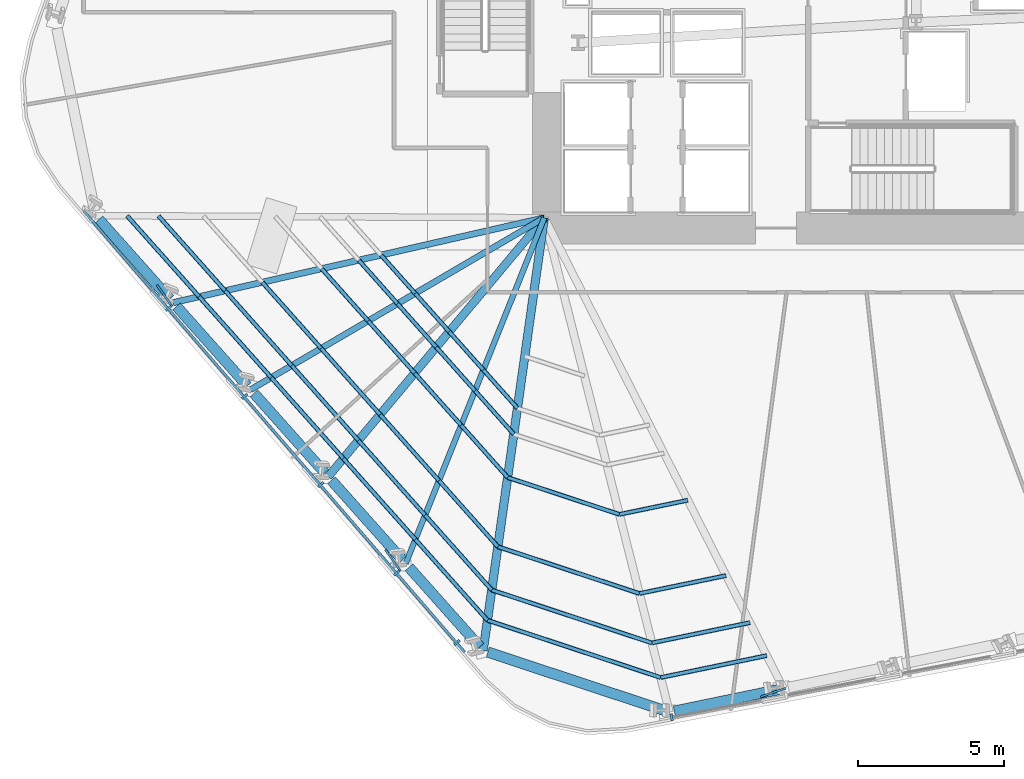
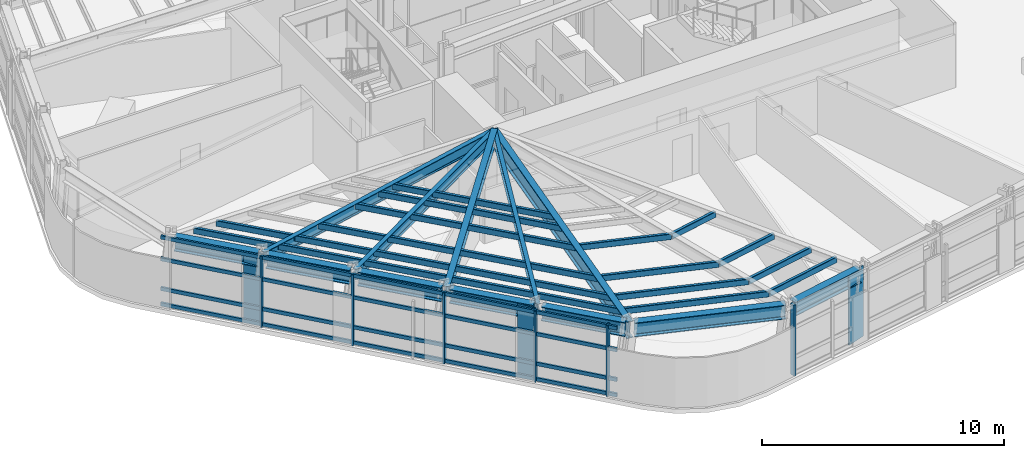
# One storey, part 2 of 18: 47 members, 12 beams, 2 elements without a shape of their own.
"""IFC4 building model written with IfcOpenShell, lengths in metres."""

from ifc_helpers import new_model, si_unit, direction, frame, origin, origin_2d, place, context, subcontext, project, spatial, rectangle, hollow_rectangle, i_section, extrude, material, layer, layer_set, material_profile, profile_set, type_object, element, aggregate, save


model = new_model("IFC4")

# Units and contexts
model_context = context("Model", 3, precision=1e-05, world=origin(), true_north=direction((0.0, 1.0)))
body_context = subcontext(model_context, "Body", "Model", "MODEL_VIEW")
ifc_project = project(units=[si_unit("LENGTHUNIT", "METRE"), si_unit("AREAUNIT", "SQUARE_METRE"), si_unit("VOLUMEUNIT", "CUBIC_METRE"), si_unit("PLANEANGLEUNIT", "RADIAN"), si_unit("MASSUNIT", "GRAM", prefix="KILO")], contexts=[model_context])

# Site, building, storey
site_placement = place(None, origin())
site = spatial("IfcSite", under=ifc_project, at=site_placement, CompositionType="ELEMENT")
building_placement = place(site_placement, origin())
building = spatial("IfcBuilding", under=site, at=building_placement, Name="Valkerne Bourse Tower", CompositionType="ELEMENT")
storey_placement = place(building_placement, frame((0.0, 0.0, 69.60009765625)))
storey = spatial("IfcBuildingStorey", under=building, at=storey_placement, Name="L17", CompositionType="ELEMENT", Elevation=69.60009765625)

# Beams
ifc_material_1 = material(Name="Steel ASTM A992", Category="steel")
ifc_material_profile_1 = material_profile(ifc_material_1, i_section(OverallWidth=0.1904296875, OverallDepth=0.457275390625, WebThickness=0.009033203125, FlangeThickness=0.014404296875, FilletRadius=0.01513671875, at=origin_2d()), Name="W18X50")
ifc_profile_set_1 = profile_set([ifc_material_profile_1], Name="Steel ASTM A992")
beam_type_1 = type_object("IfcBeamType", Name="BM-W18X50", PredefinedType="JOIST", material=ifc_profile_set_1)
beam_1_placement = place(storey_placement, frame((32.843994140625, 6.53759765625, 3.351318359375), z_axis=(0.372144791429, 0.928174689491, 0.0), x_axis=(-0.928174689491, 0.372144791429, 0.0)))
element("IfcBeam", 1, at=beam_1_placement, inside=storey, type_object=beam_type_1, Name="L17 Radial Composite Floor Beam 22", PredefinedType="JOIST", context=body_context, shape_type="SweptSolid", body=[
    extrude(i_section(OverallWidth=0.1904296875, OverallDepth=0.457275390625, WebThickness=0.009033203125, FlangeThickness=0.014404296875, FilletRadius=0.01513671875, at=origin_2d()), origin(), (0.0, 0.0, 1.0), 12.7802734375),
])
ifc_material_profile_2 = material_profile(ifc_material_1, i_section(OverallWidth=0.279296875, OverallDepth=0.46240234375, WebThickness=0.0107421875, FlangeThickness=0.017333984375, FilletRadius=0.017822265625, at=origin_2d()), Name="W18X76")
ifc_profile_set_2 = profile_set([ifc_material_profile_2], Name="Steel ASTM A992")
beam_type_2 = type_object("IfcBeamType", Name="BM-W18X76", PredefinedType="BEAM", material=ifc_profile_set_2)
beam_2_placement = place(storey_placement, frame((30.185791015625, 9.521240234375, 3.348876953125), z_axis=(0.640970871281, 0.767565203855, 0.0), x_axis=(-0.767565203855, 0.640970871281, 0.0)))
element("IfcBeam", 2, at=beam_2_placement, inside=storey, type_object=beam_type_2, Name="L17 Radial Composite Floor Beam 21", PredefinedType="BEAM", context=body_context, shape_type="SweptSolid", body=[
    extrude(i_section(OverallWidth=0.279296875, OverallDepth=0.46240234375, WebThickness=0.0107421875, FlangeThickness=0.017333984375, FilletRadius=0.017822265625, at=origin_2d()), origin(), (0.0, 0.0, 1.0), 11.5673828125),
])
ifc_material_profile_3 = material_profile(ifc_material_1, i_section(OverallWidth=0.209228515625, OverallDepth=0.533447265625, WebThickness=0.01025390625, FlangeThickness=0.015625, FilletRadius=0.017822265625, at=origin_2d()), Name="W21X62")
ifc_profile_set_3 = profile_set([ifc_material_profile_3], Name="Steel ASTM A992")
beam_type_3 = type_object("IfcBeamType", Name="BM-W21X62", PredefinedType="JOIST", material=ifc_profile_set_3)
beam_3_placement = place(storey_placement, frame((27.527587890625, 12.5048828125, 3.313232421875), z_axis=(0.863054951364, 0.505110038433, 0.0), x_axis=(-0.505110038433, 0.863054951364, 0.0)))
element("IfcBeam", 3, at=beam_3_placement, inside=storey, type_object=beam_type_3, Name="L17 Radial Composite Floor Beam 20", PredefinedType="JOIST", context=body_context, shape_type="SweptSolid", body=[
    extrude(i_section(OverallWidth=0.209228515625, OverallDepth=0.533447265625, WebThickness=0.01025390625, FlangeThickness=0.015625, FilletRadius=0.017822265625, at=origin_2d()), origin(), (0.0, 0.0, 1.0), 11.670654296875),
])
ifc_material_profile_4 = material_profile(ifc_material_1, i_section(OverallWidth=0.2138671875, OverallDepth=0.548583984375, WebThickness=0.0146484375, FlangeThickness=0.023681640625, FilletRadius=0.017822265625, at=origin_2d()), Name="W21X93")
ifc_profile_set_4 = profile_set([ifc_material_profile_4], Name="Steel ASTM A992")
beam_type_4 = type_object("IfcBeamType", Name="BM-W21X93", PredefinedType="BEAM", material=ifc_profile_set_4)
beam_4_placement = place(storey_placement, frame((24.869140625, 15.48828125, 3.3056640625), z_axis=(0.974830421198, 0.222947639382, 0.0), x_axis=(-0.222947639382, 0.974830421198, 0.0)))
element("IfcBeam", 4, at=beam_4_placement, inside=storey, type_object=beam_type_4, Name="L17 Radial Composite Floor Beam 19", PredefinedType="BEAM", context=body_context, shape_type="SweptSolid", body=[
    extrude(i_section(OverallWidth=0.2138671875, OverallDepth=0.548583984375, WebThickness=0.0146484375, FlangeThickness=0.023681640625, FilletRadius=0.017822265625, at=origin_2d()), origin(), (0.0, 0.0, 1.0), 13.0595703125),
])
ifc_material_profile_5 = material_profile(ifc_material_1, i_section(OverallWidth=0.358154296875, OverallDepth=0.7060546875, WebThickness=0.018310546875, FlangeThickness=0.0302734375, FilletRadius=0.02294921875, at=origin_2d()), Name="W27X178")
ifc_profile_set_5 = profile_set([ifc_material_profile_5], Name="Steel ASTM A992")
beam_type_5 = type_object("IfcBeamType", Name="BM-W27X178", PredefinedType="SPANDREL", material=ifc_profile_set_5)
for number, where, z_axis, x_axis, name in (
    (5, (22.32421875, 18.34521484375, 3.226806640625), (0.665163397955, -0.746697833143, 0.0), (0.746697833143, 0.665163397955, 0.0), "L17 Hexagonal Spandrel Ring Beam 18"),
    (6, (24.982421875, 15.361572265625, 3.226806640625), (0.665163397955, -0.746697833143, 0.0), (0.746697833143, 0.665163397955, 0.0), "L17 Hexagonal Spandrel Ring Beam 19"),
    (7, (27.640625, 12.3779296875, 3.226806640625), (0.665233793704, -0.74663511819, 0.0), (0.74663511819, 0.665233793704, 0.0), "L17 Hexagonal Spandrel Ring Beam 20"),
    (8, (30.298828125, 9.394287109375, 3.226806640625), (0.665233793704, -0.74663511819, 0.0), (0.74663511819, 0.665233793704, 0.0), "L17 Hexagonal Spandrel Ring Beam 21"),
):
    element("IfcBeam", number, at=place(storey_placement, frame(where, z_axis=z_axis, x_axis=x_axis)), inside=storey, type_object=beam_type_5, Name=name, PredefinedType="SPANDREL", context=body_context, shape_type="SweptSolid", body=[
        extrude(i_section(OverallWidth=0.358154296875, OverallDepth=0.7060546875, WebThickness=0.018310546875, FlangeThickness=0.0302734375, FilletRadius=0.02294921875, at=origin_2d()), origin(), (0.0, 0.0, 1.0), 3.656005859375),
    ])
beam_5_placement = place(storey_placement, frame((32.95703125, 6.410888671875, 3.226806640625), z_axis=(0.665200627374, -0.746664667265, 0.0), x_axis=(0.746664667265, 0.665200627374, 0.0)))
element("IfcBeam", 9, at=beam_5_placement, inside=storey, type_object=beam_type_5, Name="L17 Hexagonal Spandrel Ring Beam 22", PredefinedType="SPANDREL", context=body_context, shape_type="SweptSolid", body=[
    extrude(i_section(OverallWidth=0.358154296875, OverallDepth=0.7060546875, WebThickness=0.018310546875, FlangeThickness=0.0302734375, FilletRadius=0.02294921875, at=origin_2d()), origin(), (0.0, 0.0, 1.0), 3.65625),
])
beam_6_placement = place(storey_placement, frame((35.663818359375, 3.500732421875, 3.226806640625), z_axis=(0.94942203894, -0.31400285345, 0.0), x_axis=(0.31400285345, 0.94942203894, 0.0)))
element("IfcBeam", 10, at=beam_6_placement, inside=storey, type_object=beam_type_5, Name="L17 Hexagonal Spandrel Ring Beam 23", PredefinedType="SPANDREL", context=body_context, shape_type="SweptSolid", body=[
    extrude(i_section(OverallWidth=0.358154296875, OverallDepth=0.7060546875, WebThickness=0.018310546875, FlangeThickness=0.0302734375, FilletRadius=0.02294921875, at=origin_2d()), origin(), (0.0, 0.0, 1.0), 6.388916015625),
])
beam_7_placement = place(storey_placement, frame((42.0576171875, 1.475830078125, 3.226806640625), z_axis=(0.979230253782, 0.202751350371, 0.0), x_axis=(-0.202751350371, 0.979230253782, 0.0)))
element("IfcBeam", 11, at=beam_7_placement, inside=storey, type_object=beam_type_5, Name="L17 Hexagonal Spandrel Ring Beam 24", PredefinedType="SPANDREL", context=body_context, shape_type="SweptSolid", body=[
    extrude(i_section(OverallWidth=0.358154296875, OverallDepth=0.7060546875, WebThickness=0.018310546875, FlangeThickness=0.0302734375, FilletRadius=0.02294921875, at=origin_2d()), origin(), (0.0, 0.0, 1.0), 3.65576171875),
])
ifc_material_profile_6 = material_profile(ifc_material_1, i_section(OverallWidth=0.2919921875, OverallDepth=0.8583984375, WebThickness=0.01708984375, FlangeThickness=0.031005859375, FilletRadius=0.025390625, at=origin_2d()), Name="W33X169")
ifc_profile_set_6 = profile_set([ifc_material_profile_6], Name="Steel ASTM A992")
beam_type_6 = type_object("IfcBeamType", Name="BM-W33X169", PredefinedType="BEAM", material=ifc_profile_set_6)
beam_8_placement = place(storey_placement, frame((35.502197265625, 3.55419921875, 3.150634765625), z_axis=(0.139923445223, 0.990162324812, 0.0), x_axis=(-0.990162324812, 0.139923445223, 0.0)))
element("IfcBeam", 12, at=beam_8_placement, inside=storey, type_object=beam_type_6, Name="L17 Radial Composite Floor Beam 23", PredefinedType="BEAM", context=body_context, shape_type="SweptSolid", body=[
    extrude(i_section(OverallWidth=0.2919921875, OverallDepth=0.8583984375, WebThickness=0.01708984375, FlangeThickness=0.031005859375, FilletRadius=0.025390625, at=origin_2d()), origin(), (0.0, 0.0, 1.0), 14.9931640625),
])

# Curtain wall, members
ifc_material_2 = material(Name="Aluminium AA 6063-T6", Category="aluminium")
ifc_layer = layer(ifc_material_2, 0.22509765625)
ifc_layer_set = layer_set([ifc_layer], Name="Aluminium AA 6063-T6")
curtain_wall_type = type_object("IfcCurtainWallType", Name="CW-01", PredefinedType="NOTDEFINED", material=ifc_layer_set)
curtain_wall_1_placement = place(storey_placement, origin())
curtain_wall_1 = element("IfcCurtainWall", 13, at=curtain_wall_1_placement, inside=storey, type_object=curtain_wall_type, Name="L17 Hexagonal Stick Curtain Wall Face 4", PredefinedType="NOTDEFINED")
ifc_material_profile_7 = material_profile(ifc_material_2, rectangle(XDim=0.090087890625, YDim=0.239990234375, at=origin_2d()), Name="CWM-90X240")
ifc_profile_set_7 = profile_set([ifc_material_profile_7], Name="Aluminium AA 6063-T6")
member_type_1 = type_object("IfcMemberType", Name="CW-MUL-240X90", PredefinedType="MULLION", material=ifc_profile_set_7)
member_1_placement = place(storey_placement, frame((24.708251953125, 15.294189453125, 0.0), z_axis=(0.0, 0.0, 1.0), x_axis=(0.653419176162, -0.756996288118, 0.0)))
member_1 = element("IfcMember", 14, at=member_1_placement, type_object=member_type_1, Name="CW-L17-F4 Jamb Mullion 01A", PredefinedType="MULLION", context=body_context, shape_type="SweptSolid", body=[
    extrude(rectangle(XDim=0.090087890625, YDim=0.239990234375, at=origin_2d()), origin(), (0.0, 0.0, 1.0), 3.579833984375),
])
member_2_placement = place(storey_placement, frame((27.3193359375, 12.269287109375, 0.0), z_axis=(0.0, 0.0, 1.0), x_axis=(0.653431554417, -0.756985603358, 0.0)))
member_2 = element("IfcMember", 15, at=member_2_placement, type_object=member_type_1, Name="CW-L17-F4 Jamb Mullion 02A", PredefinedType="MULLION", context=body_context, shape_type="SweptSolid", body=[
    extrude(rectangle(XDim=0.090087890625, YDim=0.239990234375, at=origin_2d()), origin(), (0.0, 0.0, 1.0), 3.579833984375),
])
member_3_placement = place(storey_placement, frame((29.930419921875, 9.244384765625, 0.0), z_axis=(0.0, 0.0, 1.0), x_axis=(0.65340483559, -0.757008666283, 0.0)))
member_3 = element("IfcMember", 16, at=member_3_placement, type_object=member_type_1, Name="CW-L17-F4 Jamb Mullion 03A", PredefinedType="MULLION", context=body_context, shape_type="SweptSolid", body=[
    extrude(rectangle(XDim=0.090087890625, YDim=0.239990234375, at=origin_2d()), origin(), (0.0, 0.0, 1.0), 3.579833984375),
])
member_4_placement = place(storey_placement, frame((32.54150390625, 6.21923828125, 0.0), z_axis=(0.0, 0.0, 1.0), x_axis=(0.653431554417, -0.756985603358, 0.0)))
member_4 = element("IfcMember", 17, at=member_4_placement, type_object=member_type_1, Name="CW-L17-F4 Jamb Mullion 04A", PredefinedType="MULLION", context=body_context, shape_type="SweptSolid", body=[
    extrude(rectangle(XDim=0.090087890625, YDim=0.239990234375, at=origin_2d()), origin(), (0.0, 0.0, 1.0), 3.579833984375),
])
member_5_placement = place(storey_placement, frame((34.603515625, 3.830322265625, 0.0), z_axis=(0.0, 0.0, 1.0), x_axis=(0.653431554417, -0.756985603358, 0.0)))
member_5 = element("IfcMember", 18, at=member_5_placement, type_object=member_type_1, Name="CW-L17-F4 Jamb Mullion 04B", PredefinedType="MULLION", context=body_context, shape_type="SweptSolid", body=[
    extrude(rectangle(XDim=0.090087890625, YDim=0.239990234375, at=origin_2d()), origin(), (0.0, 0.0, 1.0), 3.579833984375),
])

# Curtain wall, member
curtain_wall_2_placement = place(storey_placement, origin())
curtain_wall_2 = element("IfcCurtainWall", 19, at=curtain_wall_2_placement, inside=storey, type_object=curtain_wall_type, Name="L17 Hexagonal Stick Curtain Wall Face 5", PredefinedType="NOTDEFINED")
member_6_placement = place(storey_placement, frame((41.96630859375, 1.26611328125, 0.0), z_axis=(0.0, 0.0, 1.0), x_axis=(0.982286837182, 0.187383482463, 0.0)))
member_6 = element("IfcMember", 20, at=member_6_placement, type_object=member_type_1, Name="CW-L17-F5 Jamb Mullion 00A", PredefinedType="MULLION", context=body_context, shape_type="SweptSolid", body=[
    extrude(rectangle(XDim=0.090087890625, YDim=0.239990234375, at=origin_2d()), origin(), (0.0, 0.0, 1.0), 3.579833984375),
])
aggregate(curtain_wall_2, [member_6])

# Member
ifc_material_profile_8 = material_profile(ifc_material_2, rectangle(XDim=0.090087890625, YDim=0.179931640625, at=origin_2d()), Name="CWT-90X180")
ifc_profile_set_8 = profile_set([ifc_material_profile_8], Name="Aluminium AA 6063-T6")
member_type_2 = type_object("IfcMemberType", Name="CW-TRN-180X90", PredefinedType="USERDEFINED", material=ifc_profile_set_8)
member_7_placement = place(storey_placement, frame((21.8076171875, 18.6240234375, 0.119873046875), z_axis=(0.653415921351, -0.756999097572, 0.0), x_axis=(0.756999097572, 0.653415921351, 0.0)))
member_7 = element("IfcMember", 21, at=member_7_placement, type_object=member_type_2, Name="CW-L17-F4 Continuous Face Transom 1", ObjectType="TRANSOM", PredefinedType="USERDEFINED", context=body_context, shape_type="SweptSolid", body=[
    extrude(rectangle(XDim=0.090087890625, YDim=0.179931640625, at=origin_2d()), origin(), (0.0, 0.0, 1.0), 19.97998046875),
])

member_8_placement = place(storey_placement, frame((21.8076171875, 18.6240234375, 0.89990234375), z_axis=(0.653415921351, -0.756999097572, 0.0), x_axis=(0.756999097572, 0.653415921351, 0.0)))
member_8 = element("IfcMember", 22, at=member_8_placement, type_object=member_type_2, Name="CW-L17-F4 Continuous Face Transom 2", ObjectType="TRANSOM", PredefinedType="USERDEFINED", context=body_context, shape_type="SweptSolid", body=[
    extrude(rectangle(XDim=0.090087890625, YDim=0.179931640625, at=origin_2d()), origin(), (0.0, 0.0, 1.0), 19.97998046875),
])

member_9_placement = place(storey_placement, frame((21.8076171875, 18.6240234375, 2.39990234375), z_axis=(0.653415921351, -0.756999097572, 0.0), x_axis=(0.756999097572, 0.653415921351, 0.0)))
member_9 = element("IfcMember", 23, at=member_9_placement, type_object=member_type_2, Name="CW-L17-F4 Continuous Face Transom 3", ObjectType="TRANSOM", PredefinedType="USERDEFINED", context=body_context, shape_type="SweptSolid", body=[
    extrude(rectangle(XDim=0.090087890625, YDim=0.179931640625, at=origin_2d()), origin(), (0.0, 0.0, 1.0), 19.97998046875),
])

member_10_placement = place(storey_placement, frame((21.8076171875, 18.6240234375, 3.5), z_axis=(0.653415921351, -0.756999097572, 0.0), x_axis=(0.756999097572, 0.653415921351, 0.0)))
member_10 = element("IfcMember", 24, at=member_10_placement, type_object=member_type_2, Name="CW-L17-F4 Continuous Face Transom 4", ObjectType="TRANSOM", PredefinedType="USERDEFINED", context=body_context, shape_type="SweptSolid", body=[
    extrude(rectangle(XDim=0.090087890625, YDim=0.179931640625, at=origin_2d()), origin(), (0.0, 0.0, 1.0), 19.97998046875),
])

aggregate(curtain_wall_1, [member_7, member_8, member_9, member_10, member_1, member_2, member_3, member_4, member_5])

# Members
ifc_material_3 = material(Name="Bronze Anodised Aluminium AA 6063-T6", Category="aluminium")
ifc_material_profile_9 = material_profile(ifc_material_3, rectangle(XDim=0.070068359375, YDim=0.89990234375, at=origin_2d()), Name="FIN-70X900")
ifc_profile_set_9 = profile_set([ifc_material_profile_9], Name="Bronze Anodised Aluminium AA 6063-T6")
member_type_3 = type_object("IfcMemberType", Name="FIN-SOLAR-900", PredefinedType="USERDEFINED", material=ifc_profile_set_9)
for number, where, z_axis, x_axis, name in (
    (25, (24.570068359375, 15.729736328125, 0.00390625), (0.0, 0.0, 1.0), (-0.817420477753, -0.576041459055, 0.0), "L17 Bronze Anodised Solar Fin F4-01"),
    (26, (32.4033203125, 6.65478515625, 0.00390625), (0.0, 0.0, 1.0), (-0.817408950734, -0.576057815901, 0.0), "L17 Bronze Anodised Solar Fin F4-04"),
    (27, (45.4453125, 2.113037109375, 0.00390625), (0.0, 0.0, 1.0), (0.32703082574, -0.945013671338, 0.0), "L17 Bronze Anodised Solar Fin F5-01"),
):
    element("IfcMember", number, at=place(storey_placement, frame(where, z_axis=z_axis, x_axis=x_axis)), inside=storey, type_object=member_type_3, Name=name, ObjectType="SOLAR_FIN", PredefinedType="USERDEFINED", context=body_context, shape_type="SweptSolid", body=[
        extrude(rectangle(XDim=0.070068359375, YDim=0.89990234375, at=origin_2d()), origin(), (0.0, 0.0, 1.0), 3.572021484375),
    ])
ifc_material_4 = material(Name="Steel ASTM A500 Grade C", Category="steel")
ifc_material_profile_10 = material_profile(ifc_material_4, hollow_rectangle(XDim=0.14990234375, YDim=0.300048828125, WallThickness=0.012451171875, OuterFilletRadius=0.02490234375, at=origin_2d()), Name="HSS300X150X12.5")
ifc_profile_set_10 = profile_set([ifc_material_profile_10], Name="Steel ASTM A500 Grade C")
member_type_4 = type_object("IfcMemberType", Name="MBR-HSS300X150X12.5", PredefinedType="PURLIN", material=ifc_profile_set_10)
for number, where, z_axis, x_axis, name in (
    (28, (31.998291015625, 17.118896484375, 3.419921875), (0.665328472678, -0.746550750749, 0.0), (0.746550750749, 0.665328472678, 0.0), "L17 Secondary Composite Floor Purlin K-19"),
    (29, (33.168212890625, 15.80615234375, 3.419921875), (0.665251080307, -0.746619715886, 0.0), (0.746619715886, 0.665251080307, 0.0), "L17 Secondary Composite Floor Purlin K-20"),
):
    element("IfcMember", number, at=place(storey_placement, frame(where, z_axis=z_axis, x_axis=x_axis)), inside=storey, type_object=member_type_4, Name=name, PredefinedType="PURLIN", context=body_context, shape_type="SweptSolid", body=[
        extrude(hollow_rectangle(XDim=0.14990234375, YDim=0.300048828125, WallThickness=0.012451171875, OuterFilletRadius=0.02490234375, at=origin_2d()), origin(), (0.0, 0.0, 1.0), 1.75830078125),
    ])
member_11_placement = place(storey_placement, frame((34.337890625, 14.493408203125, 3.419921875), z_axis=(0.665173666486, -0.746688685741, 0.0), x_axis=(0.746688685741, 0.665173666486, 0.0)))
element("IfcMember", 30, at=member_11_placement, inside=storey, type_object=member_type_4, Name="L17 Secondary Composite Floor Purlin K-21", PredefinedType="PURLIN", context=body_context, shape_type="SweptSolid", body=[
    extrude(hollow_rectangle(XDim=0.14990234375, YDim=0.300048828125, WallThickness=0.012451171875, OuterFilletRadius=0.02490234375, at=origin_2d()), origin(), (0.0, 0.0, 1.0), 1.758056640625),
])
member_12_placement = place(storey_placement, frame((35.50732421875, 13.1806640625, 3.419921875), z_axis=(0.665251080307, -0.746619715886, 0.0), x_axis=(0.746619715886, 0.665251080307, 0.0)))
element("IfcMember", 31, at=member_12_placement, inside=storey, type_object=member_type_4, Name="L17 Secondary Composite Floor Purlin K-22", PredefinedType="PURLIN", context=body_context, shape_type="SweptSolid", body=[
    extrude(hollow_rectangle(XDim=0.14990234375, YDim=0.300048828125, WallThickness=0.012451171875, OuterFilletRadius=0.02490234375, at=origin_2d()), origin(), (0.0, 0.0, 1.0), 1.75830078125),
])
for number, where, z_axis, x_axis, name in (
    (32, (31.234619140625, 16.944091796875, 3.419921875), (0.665243200536, -0.746626736824, 0.0), (0.746626736824, 0.665243200536, 0.0), "L17 Secondary Composite Floor Purlin M-19"),
    (33, (32.563720703125, 15.452392578125, 3.419921875), (0.665243200536, -0.746626736824, 0.0), (0.746626736824, 0.665243200536, 0.0), "L17 Secondary Composite Floor Purlin M-20"),
):
    element("IfcMember", number, at=place(storey_placement, frame(where, z_axis=z_axis, x_axis=x_axis)), inside=storey, type_object=member_type_4, Name=name, PredefinedType="PURLIN", context=body_context, shape_type="SweptSolid", body=[
        extrude(hollow_rectangle(XDim=0.14990234375, YDim=0.300048828125, WallThickness=0.012451171875, OuterFilletRadius=0.02490234375, at=origin_2d()), origin(), (0.0, 0.0, 1.0), 1.997802734375),
    ])
member_13_placement = place(storey_placement, frame((33.892822265625, 13.960693359375, 3.419921875), z_axis=(0.665182509798, -0.746680807747, 0.0), x_axis=(0.746680807747, 0.665182509798, 0.0)))
element("IfcMember", 34, at=member_13_placement, inside=storey, type_object=member_type_4, Name="L17 Secondary Composite Floor Purlin M-21", PredefinedType="PURLIN", context=body_context, shape_type="SweptSolid", body=[
    extrude(hollow_rectangle(XDim=0.14990234375, YDim=0.300048828125, WallThickness=0.012451171875, OuterFilletRadius=0.02490234375, at=origin_2d()), origin(), (0.0, 0.0, 1.0), 1.998046875),
])
member_14_placement = place(storey_placement, frame((35.221923828125, 12.46875, 3.419921875), z_axis=(0.665243200536, -0.746626736824, 0.0), x_axis=(0.746626736824, 0.665243200536, 0.0)))
element("IfcMember", 35, at=member_14_placement, inside=storey, type_object=member_type_4, Name="L17 Secondary Composite Floor Purlin M-22", PredefinedType="PURLIN", context=body_context, shape_type="SweptSolid", body=[
    extrude(hollow_rectangle(XDim=0.14990234375, YDim=0.300048828125, WallThickness=0.012451171875, OuterFilletRadius=0.02490234375, at=origin_2d()), origin(), (0.0, 0.0, 1.0), 1.997802734375),
])
for number, where, z_axis, x_axis, name in (
    (36, (27.924560546875, 16.187255859375, 3.419921875), (0.66521663514, -0.746650405701, 0.0), (0.746650405701, 0.66521663514, 0.0), "L17 Secondary Composite Floor Purlin O-19"),
    (37, (29.94482421875, 13.919677734375, 3.419921875), (0.66521663514, -0.746650405701, 0.0), (0.746650405701, 0.66521663514, 0.0), "L17 Secondary Composite Floor Purlin O-20"),
):
    element("IfcMember", number, at=place(storey_placement, frame(where, z_axis=z_axis, x_axis=x_axis)), inside=storey, type_object=member_type_4, Name=name, PredefinedType="PURLIN", context=body_context, shape_type="SweptSolid", body=[
        extrude(hollow_rectangle(XDim=0.14990234375, YDim=0.300048828125, WallThickness=0.012451171875, OuterFilletRadius=0.02490234375, at=origin_2d()), origin(), (0.0, 0.0, 1.0), 3.037109375),
    ])
member_15_placement = place(storey_placement, frame((31.965087890625, 11.652099609375, 3.419921875), z_axis=(0.665256564396, -0.746614829432, 0.0), x_axis=(0.746614829432, 0.665256564396, 0.0)))
element("IfcMember", 38, at=member_15_placement, inside=storey, type_object=member_type_4, Name="L17 Secondary Composite Floor Purlin O-21", PredefinedType="PURLIN", context=body_context, shape_type="SweptSolid", body=[
    extrude(hollow_rectangle(XDim=0.14990234375, YDim=0.300048828125, WallThickness=0.012451171875, OuterFilletRadius=0.02490234375, at=origin_2d()), origin(), (0.0, 0.0, 1.0), 3.036865234375),
])
member_16_placement = place(storey_placement, frame((33.9853515625, 9.384765625, 3.419921875), z_axis=(0.66521663514, -0.746650405701, 0.0), x_axis=(0.746650405701, 0.66521663514, 0.0)))
element("IfcMember", 39, at=member_16_placement, inside=storey, type_object=member_type_4, Name="L17 Secondary Composite Floor Purlin O-22", PredefinedType="PURLIN", context=body_context, shape_type="SweptSolid", body=[
    extrude(hollow_rectangle(XDim=0.14990234375, YDim=0.300048828125, WallThickness=0.012451171875, OuterFilletRadius=0.02490234375, at=origin_2d()), origin(), (0.0, 0.0, 1.0), 3.037109375),
])
member_17_placement = place(storey_placement, frame((36.005615234375, 7.1171875, 3.419921875), z_axis=(0.949430133286, -0.313978378249, 0.0), x_axis=(0.313978378249, 0.949430133286, 0.0)))
element("IfcMember", 40, at=member_17_placement, inside=storey, type_object=member_type_4, Name="L17 Secondary Composite Floor Purlin O-23", PredefinedType="PURLIN", context=body_context, shape_type="SweptSolid", body=[
    extrude(hollow_rectangle(XDim=0.14990234375, YDim=0.300048828125, WallThickness=0.012451171875, OuterFilletRadius=0.02490234375, at=origin_2d()), origin(), (0.0, 0.0, 1.0), 5.114013671875),
])
member_18_placement = place(storey_placement, frame((40.861083984375, 5.511474609375, 3.419921875), z_axis=(0.979231810308, 0.202743832657, 0.0), x_axis=(-0.202743832657, 0.979231810308, 0.0)))
element("IfcMember", 41, at=member_18_placement, inside=storey, type_object=member_type_4, Name="L17 Secondary Composite Floor Purlin O-24", PredefinedType="PURLIN", context=body_context, shape_type="SweptSolid", body=[
    extrude(hollow_rectangle(XDim=0.14990234375, YDim=0.300048828125, WallThickness=0.012451171875, OuterFilletRadius=0.02490234375, at=origin_2d()), origin(), (0.0, 0.0, 1.0), 3.036865234375),
])
for number, where, z_axis, x_axis, name in (
    (42, (29.96142578125, 16.653076171875, 3.419921875), (0.66520397793, -0.746661682254, 0.0), (0.746661682254, 0.66520397793, 0.0), "L17 Secondary Composite Floor Purlin Z-19"),
    (43, (31.556396484375, 14.86279296875, 3.419921875), (0.665311311409, -0.746566044574, 0.0), (0.746566044574, 0.665311311409, 0.0), "L17 Secondary Composite Floor Purlin Z-20"),
):
    element("IfcMember", number, at=place(storey_placement, frame(where, z_axis=z_axis, x_axis=x_axis)), inside=storey, type_object=member_type_4, Name=name, PredefinedType="PURLIN", context=body_context, shape_type="SweptSolid", body=[
        extrude(hollow_rectangle(XDim=0.14990234375, YDim=0.300048828125, WallThickness=0.012451171875, OuterFilletRadius=0.02490234375, at=origin_2d()), origin(), (0.0, 0.0, 1.0), 2.397705078125),
    ])
member_19_placement = place(storey_placement, frame((33.151611328125, 13.07275390625, 3.419921875), z_axis=(0.665197784058, -0.746667200354, 0.0), x_axis=(0.746667200354, 0.665197784058, 0.0)))
element("IfcMember", 44, at=member_19_placement, inside=storey, type_object=member_type_4, Name="L17 Secondary Composite Floor Purlin Z-21", PredefinedType="PURLIN", context=body_context, shape_type="SweptSolid", body=[
    extrude(hollow_rectangle(XDim=0.14990234375, YDim=0.300048828125, WallThickness=0.012451171875, OuterFilletRadius=0.02490234375, at=origin_2d()), origin(), (0.0, 0.0, 1.0), 2.3974609375),
])
member_20_placement = place(storey_placement, frame((34.746337890625, 11.28271484375, 3.419921875), z_axis=(0.66520397793, -0.746661682254, 0.0), x_axis=(0.746661682254, 0.66520397793, 0.0)))
element("IfcMember", 45, at=member_20_placement, inside=storey, type_object=member_type_4, Name="L17 Secondary Composite Floor Purlin Z-22", PredefinedType="PURLIN", context=body_context, shape_type="SweptSolid", body=[
    extrude(hollow_rectangle(XDim=0.14990234375, YDim=0.300048828125, WallThickness=0.012451171875, OuterFilletRadius=0.02490234375, at=origin_2d()), origin(), (0.0, 0.0, 1.0), 2.397705078125),
])
member_21_placement = place(storey_placement, frame((36.34130859375, 9.492431640625, 3.419921875), z_axis=(0.949436460531, -0.31395924483, 0.0), x_axis=(0.31395924483, 0.949436460531, 0.0)))
element("IfcMember", 46, at=member_21_placement, inside=storey, type_object=member_type_4, Name="L17 Secondary Composite Floor Purlin Z-23", PredefinedType="PURLIN", context=body_context, shape_type="SweptSolid", body=[
    extrude(hollow_rectangle(XDim=0.14990234375, YDim=0.300048828125, WallThickness=0.012451171875, OuterFilletRadius=0.02490234375, at=origin_2d()), origin(), (0.0, 0.0, 1.0), 4.037353515625),
])
member_22_placement = place(storey_placement, frame((40.174560546875, 8.224853515625, 3.419921875), z_axis=(0.979234636472, 0.202730182096, 0.0), x_axis=(-0.202730182096, 0.979234636472, 0.0)))
element("IfcMember", 47, at=member_22_placement, inside=storey, type_object=member_type_4, Name="L17 Secondary Composite Floor Purlin Z-24", PredefinedType="PURLIN", context=body_context, shape_type="SweptSolid", body=[
    extrude(hollow_rectangle(XDim=0.14990234375, YDim=0.300048828125, WallThickness=0.012451171875, OuterFilletRadius=0.02490234375, at=origin_2d()), origin(), (0.0, 0.0, 1.0), 2.397705078125),
])
for number, where, z_axis, x_axis, name in (
    (48, (24.365478515625, 18.4619140625, 3.419921875), (0.665227644819, -0.746640596652, 0.0), (0.746640596652, 0.665227644819, 0.0), "L17 Secondary Composite Floor Purlin T-18"),
    (49, (26.651611328125, 15.89599609375, 3.419921875), (0.665188038647, -0.746675882322, 0.0), (0.746675882322, 0.665188038647, 0.0), "L17 Secondary Composite Floor Purlin T-19"),
    (50, (28.9375, 13.330078125, 3.419921875), (0.665302530323, -0.746573869852, 0.0), (0.746573869852, 0.665302530323, 0.0), "L17 Secondary Composite Floor Purlin T-20"),
    (51, (31.223876953125, 10.764404296875, 3.419921875), (0.665188038647, -0.746675882322, 0.0), (0.746675882322, 0.665188038647, 0.0), "L17 Secondary Composite Floor Purlin T-21"),
    (52, (33.509765625, 8.198486328125, 3.419921875), (0.665227644819, -0.746640596652, 0.0), (0.746640596652, 0.665227644819, 0.0), "L17 Secondary Composite Floor Purlin T-22"),
):
    element("IfcMember", number, at=place(storey_placement, frame(where, z_axis=z_axis, x_axis=x_axis)), inside=storey, type_object=member_type_4, Name=name, PredefinedType="PURLIN", context=body_context, shape_type="SweptSolid", body=[
        extrude(hollow_rectangle(XDim=0.14990234375, YDim=0.300048828125, WallThickness=0.012451171875, OuterFilletRadius=0.02490234375, at=origin_2d()), origin(), (0.0, 0.0, 1.0), 3.4365234375),
    ])
member_23_placement = place(storey_placement, frame((35.7958984375, 5.632568359375, 3.419921875), z_axis=(0.949423177917, -0.313999409608, 0.0), x_axis=(0.313999409608, 0.949423177917, 0.0)))
element("IfcMember", 53, at=member_23_placement, inside=storey, type_object=member_type_4, Name="L17 Secondary Composite Floor Purlin T-23", PredefinedType="PURLIN", context=body_context, shape_type="SweptSolid", body=[
    extrude(hollow_rectangle(XDim=0.14990234375, YDim=0.300048828125, WallThickness=0.012451171875, OuterFilletRadius=0.02490234375, at=origin_2d()), origin(), (0.0, 0.0, 1.0), 5.787109375),
])
member_24_placement = place(storey_placement, frame((41.290283203125, 3.8154296875, 3.419921875), z_axis=(0.979216168271, 0.202819367412, 0.0), x_axis=(-0.202819367412, 0.979216168271, 0.0)))
element("IfcMember", 54, at=member_24_placement, inside=storey, type_object=member_type_4, Name="L17 Secondary Composite Floor Purlin T-24", PredefinedType="PURLIN", context=body_context, shape_type="SweptSolid", body=[
    extrude(hollow_rectangle(XDim=0.14990234375, YDim=0.300048828125, WallThickness=0.012451171875, OuterFilletRadius=0.02490234375, at=origin_2d()), origin(), (0.0, 0.0, 1.0), 3.436767578125),
])
member_25_placement = place(storey_placement, frame((23.2880859375, 18.467041015625, 3.419921875), z_axis=(0.665240000126, -0.746629588371, 0.0), x_axis=(0.746629588371, 0.665240000126, 0.0)))
element("IfcMember", 55, at=member_25_placement, inside=storey, type_object=member_type_4, Name="L17 Secondary Composite Floor Purlin U-18", PredefinedType="PURLIN", context=body_context, shape_type="SweptSolid", body=[
    extrude(hollow_rectangle(XDim=0.14990234375, YDim=0.300048828125, WallThickness=0.012451171875, OuterFilletRadius=0.02490234375, at=origin_2d()), origin(), (0.0, 0.0, 1.0), 3.716552734375),
])
for number, where, z_axis, x_axis, name in (
    (56, (25.760498046875, 15.692138671875, 3.419921875), (0.665236007921, -0.74663314537, 0.0), (0.74663314537, 0.665236007921, 0.0), "L17 Secondary Composite Floor Purlin U-19"),
    (57, (28.232666015625, 12.91748046875, 3.419921875), (0.665236007921, -0.74663314537, 0.0), (0.74663314537, 0.665236007921, 0.0), "L17 Secondary Composite Floor Purlin U-20"),
    (58, (30.704833984375, 10.142822265625, 3.419921875), (0.665236007921, -0.74663314537, 0.0), (0.74663314537, 0.665236007921, 0.0), "L17 Secondary Composite Floor Purlin U-21"),
    (59, (33.177001953125, 7.3681640625, 3.419921875), (0.665203378603, -0.746662216196, 0.0), (0.746662216196, 0.665203378603, 0.0), "L17 Secondary Composite Floor Purlin U-22"),
):
    element("IfcMember", number, at=place(storey_placement, frame(where, z_axis=z_axis, x_axis=x_axis)), inside=storey, type_object=member_type_4, Name=name, PredefinedType="PURLIN", context=body_context, shape_type="SweptSolid", body=[
        extrude(hollow_rectangle(XDim=0.14990234375, YDim=0.300048828125, WallThickness=0.012451171875, OuterFilletRadius=0.02490234375, at=origin_2d()), origin(), (0.0, 0.0, 1.0), 3.71630859375),
    ])
member_26_placement = place(storey_placement, frame((35.649169921875, 4.59326171875, 3.419921875), z_axis=(0.949429693538, -0.313979707988, 0.0), x_axis=(0.313979707988, 0.949429693538, 0.0)))
element("IfcMember", 60, at=member_26_placement, inside=storey, type_object=member_type_4, Name="L17 Secondary Composite Floor Purlin U-23", PredefinedType="PURLIN", context=body_context, shape_type="SweptSolid", body=[
    extrude(hollow_rectangle(XDim=0.14990234375, YDim=0.300048828125, WallThickness=0.012451171875, OuterFilletRadius=0.02490234375, at=origin_2d()), origin(), (0.0, 0.0, 1.0), 6.2578125),
])
member_27_placement = place(storey_placement, frame((41.590576171875, 2.62841796875, 3.419921875), z_axis=(0.97922130002, 0.202794589639, 0.0), x_axis=(-0.202794589639, 0.97922130002, 0.0)))
element("IfcMember", 61, at=member_27_placement, inside=storey, type_object=member_type_4, Name="L17 Secondary Composite Floor Purlin U-24", PredefinedType="PURLIN", context=body_context, shape_type="SweptSolid", body=[
    extrude(hollow_rectangle(XDim=0.14990234375, YDim=0.300048828125, WallThickness=0.012451171875, OuterFilletRadius=0.02490234375, at=origin_2d()), origin(), (0.0, 0.0, 1.0), 3.71630859375),
])

save(model, "model.ifc")
